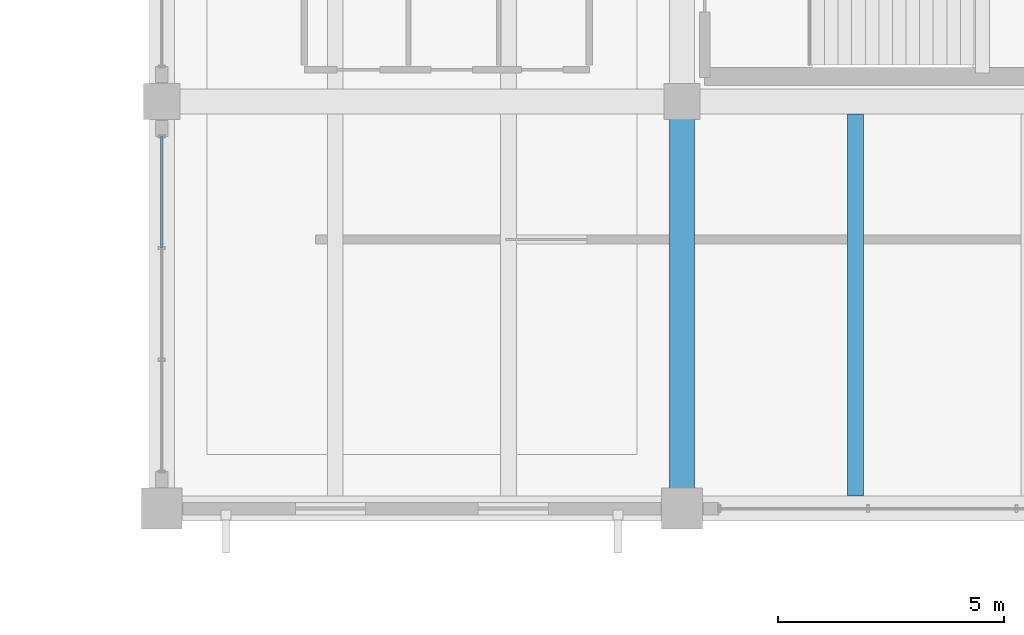
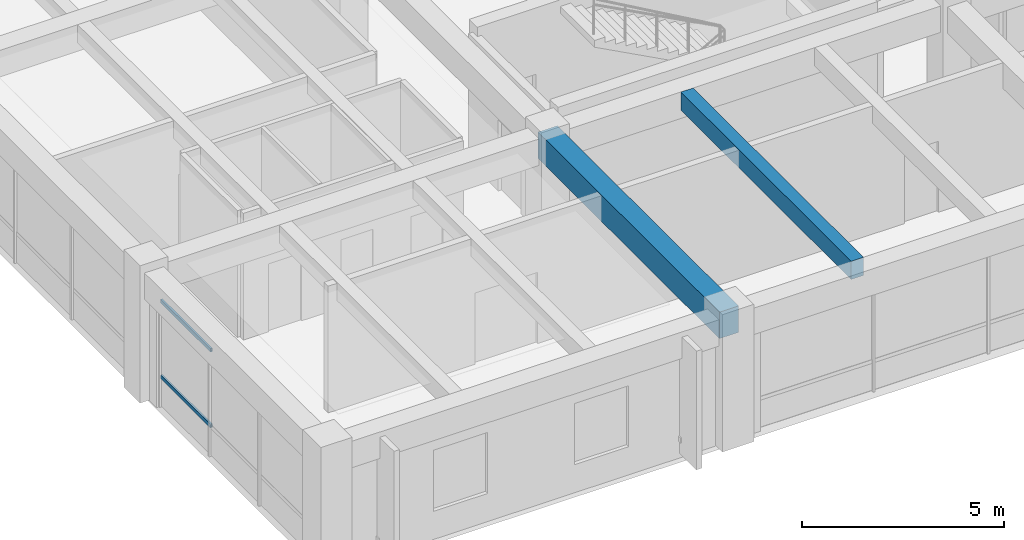
# One storey, part 12 of 33: 2 beams, 2 members, 1 element without a shape of its own.
"""IFC4 building model written with IfcOpenShell, lengths in metres."""

from ifc_helpers import new_model, si_unit, direction, frame, origin, origin_2d, place, context, subcontext, project, spatial, rectangle, hollow_rectangle, extrude, material, material_profile, profile_set, type_object, element, aggregate, save


model = new_model("IFC4")

# Units and contexts
model_context = context("Model", 3, precision=1e-05, world=origin(), true_north=direction((0.0, 1.0)))
body_context = subcontext(model_context, "Body", "Model", "MODEL_VIEW")
ifc_project = project(units=[si_unit("LENGTHUNIT", "METRE"), si_unit("AREAUNIT", "SQUARE_METRE"), si_unit("VOLUMEUNIT", "CUBIC_METRE"), si_unit("PLANEANGLEUNIT", "RADIAN"), si_unit("MASSUNIT", "GRAM", prefix="KILO")], contexts=[model_context])

# Site, building, storey
site_placement = place(None, origin())
site = spatial("IfcSite", under=ifc_project, at=site_placement, CompositionType="ELEMENT")
building_placement = place(site_placement, origin())
building = spatial("IfcBuilding", under=site, at=building_placement, Name="Ologun Quay Terminus", CompositionType="ELEMENT")
storey_placement = place(building_placement, frame((0.0, 0.0, 18.300048828125)))
storey = spatial("IfcBuildingStorey", under=building, at=storey_placement, Name="L04", CompositionType="ELEMENT", Elevation=18.300048828125)

# Curtain wall, members
ifc_material_1 = material(Name="Aluminium 6063-T6", Category="aluminium")
curtain_wall_type = type_object("IfcCurtainWallType", Name="Rain-Garden East Courtyard Curtain Wall L04 9200x3800", PredefinedType="USERDEFINED", material=ifc_material_1)
curtain_wall_placement = place(storey_placement, origin())
curtain_wall = element("IfcCurtainWall", 1, at=curtain_wall_placement, inside=storey, type_object=curtain_wall_type, Name="CW-21 Curtain Wall CW-L04-149", ObjectType="UNITISED CURTAIN WALL", PredefinedType="USERDEFINED")
ifc_material_2 = material(Name="Aluminium 6063-T6", Category="aluminium")
ifc_material_profile_1 = material_profile(ifc_material_2, hollow_rectangle(XDim=0.054931640625, YDim=0.110107421875, WallThickness=0.00390625, at=origin_2d()), Name="ALU 110x55x4")
ifc_profile_set_1 = profile_set([ifc_material_profile_1], Name="Aluminium 6063-T6")
member_type = type_object("IfcMemberType", Name="Courtyard Screen Transom 110x55", PredefinedType="USERDEFINED", material=ifc_profile_set_1)
member_1_placement = place(storey_placement, frame((115.0, 91.56005859375, 0.89990234375), z_axis=(0.0, 1.0, 0.0), x_axis=(-1.0, 0.0, 0.0)))
member_1 = element("IfcMember", 2, at=member_1_placement, type_object=member_type, Name="CW-L04-149 Transom B3-1", ObjectType="TRANSOM", PredefinedType="USERDEFINED", context=body_context, shape_type="SweptSolid", body=[
    extrude(hollow_rectangle(XDim=0.054931640625, YDim=0.110107421875, WallThickness=0.00390625, at=origin_2d()), origin(), (0.0, 0.0, 1.0), 2.469970703125),
])
member_2_placement = place(storey_placement, frame((115.0, 91.56005859375, 3.18994140625), z_axis=(0.0, 1.0, 0.0), x_axis=(-1.0, 0.0, 0.0)))
member_2 = element("IfcMember", 3, at=member_2_placement, type_object=member_type, Name="CW-L04-149 Transom B3-2", ObjectType="TRANSOM", PredefinedType="USERDEFINED", context=body_context, shape_type="SweptSolid", body=[
    extrude(hollow_rectangle(XDim=0.054931640625, YDim=0.110107421875, WallThickness=0.00390625, at=origin_2d()), origin(), (0.0, 0.0, 1.0), 2.469970703125),
])
aggregate(curtain_wall, [member_1, member_2])

# Beams
ifc_material_3 = material(Name="Concrete C40/50", Category="concrete")
ifc_material_profile_2 = material_profile(ifc_material_3, rectangle(XDim=0.550048828125, YDim=0.800048828125, at=origin_2d()), Name="RC 550x800")
ifc_profile_set_2 = profile_set([ifc_material_profile_2], Name="Concrete C40/50")
beam_type_1 = type_object("IfcBeamType", Name="Courtyard Wing Primary Girder 550x800", PredefinedType="BEAM", material=ifc_profile_set_2)
beam_1_placement = place(storey_placement, frame((126.5, 85.800048828125, 3.5), z_axis=(0.0, 1.0, 0.0), x_axis=(-1.0, 0.0, 0.0)))
element("IfcBeam", 4, at=beam_1_placement, inside=storey, type_object=beam_type_1, Name="B4 Beam 12/G2 L04", PredefinedType="BEAM", context=body_context, shape_type="SweptSolid", body=[
    extrude(rectangle(XDim=0.550048828125, YDim=0.800048828125, at=origin_2d()), origin(), (0.0, 0.0, 1.0), 9.0),
])
ifc_material_4 = material(Name="Concrete C40/50", Category="concrete")
ifc_material_profile_3 = material_profile(ifc_material_4, rectangle(XDim=0.35009765625, YDim=0.550048828125, at=origin_2d()), Name="RC 350x550")
ifc_profile_set_3 = profile_set([ifc_material_profile_3], Name="Concrete C40/50")
beam_type_2 = type_object("IfcBeamType", Name="Courtyard Wing Secondary Joist 350x550", PredefinedType="JOIST", material=ifc_profile_set_3)
beam_2_placement = place(storey_placement, frame((130.333251953125, 86.074951171875, 3.625), z_axis=(0.0, 1.0, 0.0), x_axis=(-1.0, 0.0, 0.0)))
element("IfcBeam", 5, at=beam_2_placement, inside=storey, type_object=beam_type_2, Name="J2 Beam 12/G2 L04", PredefinedType="JOIST", context=body_context, shape_type="SweptSolid", body=[
    extrude(rectangle(XDim=0.35009765625, YDim=0.550048828125, at=origin_2d()), origin(), (0.0, 0.0, 1.0), 8.449951171875),
])

save(model, "model.ifc")
